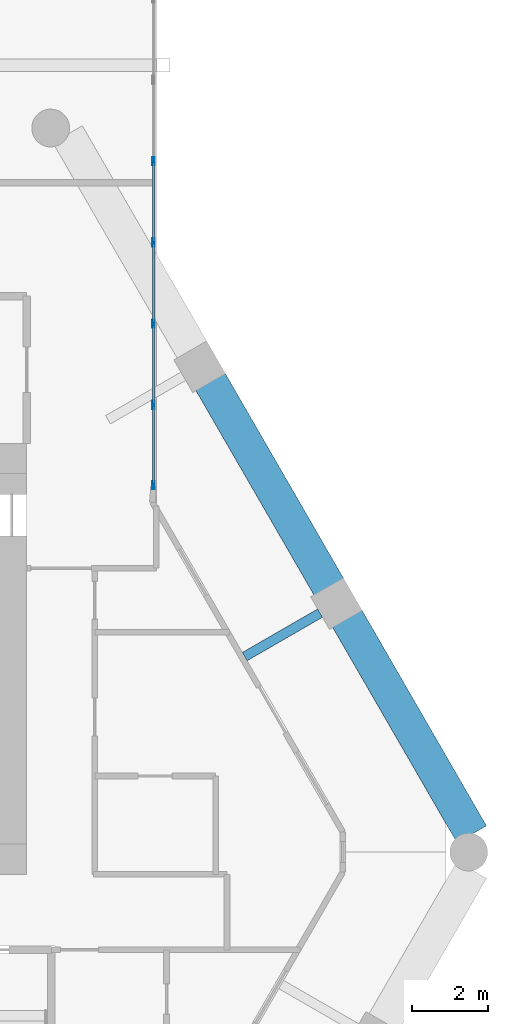
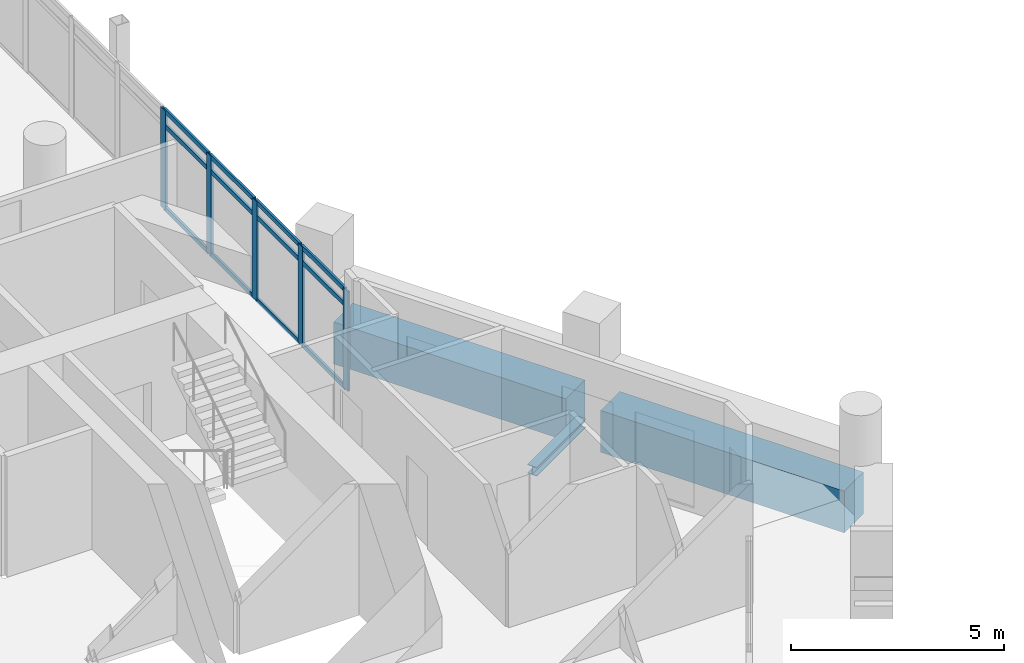
# One storey, part 20 of 29: 17 members, 3 beams, 1 element without a shape of its own.
"""IFC4 building model written with IfcOpenShell, lengths in metres."""

from ifc_helpers import new_model, si_unit, direction, frame, origin, origin_2d, place, context, subcontext, project, spatial, rectangle, hollow_rectangle, i_section, extrude, material, material_profile, profile_set, type_object, element, aggregate, save


model = new_model("IFC4")

# Units and contexts
model_context = context("Model", 3, precision=1e-05, world=origin(), true_north=direction((0.0, 1.0)))
body_context = subcontext(model_context, "Body", "Model", "MODEL_VIEW")
ifc_project = project(units=[si_unit("LENGTHUNIT", "METRE"), si_unit("AREAUNIT", "SQUARE_METRE"), si_unit("VOLUMEUNIT", "CUBIC_METRE"), si_unit("PLANEANGLEUNIT", "RADIAN"), si_unit("MASSUNIT", "GRAM", prefix="KILO")], contexts=[model_context])

# Site, building, storey
site_placement = place(None, origin())
site = spatial("IfcSite", under=ifc_project, at=site_placement, CompositionType="ELEMENT")
building_placement = place(site_placement, origin())
building = spatial("IfcBuilding", under=site, at=building_placement, Name="Ostrander Bayou Hotel Tower", CompositionType="ELEMENT")
storey_placement = place(building_placement, frame((0.0, 0.0, 205.75)))
storey = spatial("IfcBuildingStorey", under=building, at=storey_placement, Name="L51", CompositionType="ELEMENT", Elevation=205.75)

# Curtain wall, members
ifc_material_1 = material(Name="Aluminium and clear glass", Category="aluminium")
curtain_wall_type = type_object("IfcCurtainWallType", Name="CW-BAR glazed wall", PredefinedType="NOTDEFINED", material=ifc_material_1)
curtain_wall_placement = place(storey_placement, origin())
curtain_wall = element("IfcCurtainWall", 1, at=curtain_wall_placement, inside=storey, type_object=curtain_wall_type, Name="CW-BAR L51:SB4N:W", PredefinedType="NOTDEFINED")
ifc_material_2 = material(Name="Aluminium", Category="aluminium")
ifc_material_profile_1 = material_profile(ifc_material_2, hollow_rectangle(XDim=0.06005859375, YDim=0.219970703125, WallThickness=0.00390625, at=origin_2d()))
ifc_profile_set_1 = profile_set([ifc_material_profile_1], Name="Aluminium")
member_type_1 = type_object("IfcMemberType", Name="CW-BR mullion 60 x 220 mm", PredefinedType="MULLION", material=ifc_profile_set_1)
member_1_placement = place(storey_placement, frame((11.857177734375, 8.594482421875, 0.0), z_axis=(0.0, 0.0, 1.0), x_axis=(-1.0, 0.0, 0.0)))
member_1 = element("IfcMember", 2, at=member_1_placement, type_object=member_type_1, Name="CW-BAR mullion 1", PredefinedType="MULLION", context=body_context, shape_type="SweptSolid", body=[
    extrude(hollow_rectangle(XDim=0.06005859375, YDim=0.219970703125, WallThickness=0.00390625, at=origin_2d()), origin(), (0.0, 0.0, 1.0), 2.85009765625),
])
member_2_placement = place(storey_placement, frame((11.857177734375, 10.714599609375, 0.0), z_axis=(0.0, 0.0, 1.0), x_axis=(-1.0, 0.0, 0.0)))
member_2 = element("IfcMember", 3, at=member_2_placement, type_object=member_type_1, Name="CW-BAR mullion 2", PredefinedType="MULLION", context=body_context, shape_type="SweptSolid", body=[
    extrude(hollow_rectangle(XDim=0.06005859375, YDim=0.219970703125, WallThickness=0.00390625, at=origin_2d()), origin(), (0.0, 0.0, 1.0), 2.85009765625),
])
member_3_placement = place(storey_placement, frame((11.857177734375, 12.86474609375, 0.0), z_axis=(0.0, 0.0, 1.0), x_axis=(-1.0, 0.0, 0.0)))
member_3 = element("IfcMember", 4, at=member_3_placement, type_object=member_type_1, Name="CW-BAR mullion 3", PredefinedType="MULLION", context=body_context, shape_type="SweptSolid", body=[
    extrude(hollow_rectangle(XDim=0.06005859375, YDim=0.219970703125, WallThickness=0.00390625, at=origin_2d()), origin(), (0.0, 0.0, 1.0), 2.85009765625),
])
member_4_placement = place(storey_placement, frame((11.857177734375, 15.014892578125, 0.0), z_axis=(0.0, 0.0, 1.0), x_axis=(-1.0, 0.0, 0.0)))
member_4 = element("IfcMember", 5, at=member_4_placement, type_object=member_type_1, Name="CW-BAR mullion 4", PredefinedType="MULLION", context=body_context, shape_type="SweptSolid", body=[
    extrude(hollow_rectangle(XDim=0.06005859375, YDim=0.219970703125, WallThickness=0.00390625, at=origin_2d()), origin(), (0.0, 0.0, 1.0), 2.85009765625),
])
member_5_placement = place(storey_placement, frame((11.857177734375, 17.1650390625, 0.0), z_axis=(0.0, 0.0, 1.0), x_axis=(-1.0, 0.0, 0.0)))
member_5 = element("IfcMember", 6, at=member_5_placement, type_object=member_type_1, Name="CW-BAR mullion 5", PredefinedType="MULLION", context=body_context, shape_type="SweptSolid", body=[
    extrude(hollow_rectangle(XDim=0.06005859375, YDim=0.219970703125, WallThickness=0.00390625, at=origin_2d()), origin(), (0.0, 0.0, 1.0), 2.85009765625),
])
ifc_material_3 = material(Name="Aluminium", Category="aluminium")
ifc_material_profile_2 = material_profile(ifc_material_3, hollow_rectangle(XDim=0.06005859375, YDim=0.1298828125, WallThickness=0.00390625, at=origin_2d()))
ifc_profile_set_2 = profile_set([ifc_material_profile_2], Name="Aluminium")
member_type_2 = type_object("IfcMemberType", Name="CW-BR transom 60 x 130 mm", PredefinedType="USERDEFINED", material=ifc_profile_set_2)
member_6_placement = place(storey_placement, frame((11.857177734375, 8.62451171875, 0.030029296875), z_axis=(0.0, 1.0, 0.0), x_axis=(-1.0, 0.0, 0.0)))
member_6 = element("IfcMember", 7, at=member_6_placement, type_object=member_type_2, Name="CW-BAR transom 1.1", ObjectType="TRANSOM", PredefinedType="USERDEFINED", context=body_context, shape_type="SweptSolid", body=[
    extrude(hollow_rectangle(XDim=0.06005859375, YDim=0.1298828125, WallThickness=0.00390625, at=origin_2d()), origin(), (0.0, 0.0, 1.0), 2.06005859375),
])
member_7_placement = place(storey_placement, frame((11.857177734375, 8.62451171875, 2.39990234375), z_axis=(0.0, 1.0, 0.0), x_axis=(-1.0, 0.0, 0.0)))
member_7 = element("IfcMember", 8, at=member_7_placement, type_object=member_type_2, Name="CW-BAR transom 1.2", ObjectType="TRANSOM", PredefinedType="USERDEFINED", context=body_context, shape_type="SweptSolid", body=[
    extrude(hollow_rectangle(XDim=0.06005859375, YDim=0.1298828125, WallThickness=0.00390625, at=origin_2d()), origin(), (0.0, 0.0, 1.0), 2.06005859375),
])
member_8_placement = place(storey_placement, frame((11.857177734375, 8.62451171875, 2.820068359375), z_axis=(0.0, 1.0, 0.0), x_axis=(-1.0, 0.0, 0.0)))
member_8 = element("IfcMember", 9, at=member_8_placement, type_object=member_type_2, Name="CW-BAR transom 1.3", ObjectType="TRANSOM", PredefinedType="USERDEFINED", context=body_context, shape_type="SweptSolid", body=[
    extrude(hollow_rectangle(XDim=0.06005859375, YDim=0.1298828125, WallThickness=0.00390625, at=origin_2d()), origin(), (0.0, 0.0, 1.0), 2.06005859375),
])
member_9_placement = place(storey_placement, frame((11.857177734375, 10.74462890625, 0.030029296875), z_axis=(0.0, 1.0, 0.0), x_axis=(-1.0, 0.0, 0.0)))
member_9 = element("IfcMember", 10, at=member_9_placement, type_object=member_type_2, Name="CW-BAR transom 2.1", ObjectType="TRANSOM", PredefinedType="USERDEFINED", context=body_context, shape_type="SweptSolid", body=[
    extrude(hollow_rectangle(XDim=0.06005859375, YDim=0.1298828125, WallThickness=0.00390625, at=origin_2d()), origin(), (0.0, 0.0, 1.0), 2.090087890625),
])
member_10_placement = place(storey_placement, frame((11.857177734375, 10.74462890625, 2.39990234375), z_axis=(0.0, 1.0, 0.0), x_axis=(-1.0, 0.0, 0.0)))
member_10 = element("IfcMember", 11, at=member_10_placement, type_object=member_type_2, Name="CW-BAR transom 2.2", ObjectType="TRANSOM", PredefinedType="USERDEFINED", context=body_context, shape_type="SweptSolid", body=[
    extrude(hollow_rectangle(XDim=0.06005859375, YDim=0.1298828125, WallThickness=0.00390625, at=origin_2d()), origin(), (0.0, 0.0, 1.0), 2.090087890625),
])
member_11_placement = place(storey_placement, frame((11.857177734375, 10.74462890625, 2.820068359375), z_axis=(0.0, 1.0, 0.0), x_axis=(-1.0, 0.0, 0.0)))
member_11 = element("IfcMember", 12, at=member_11_placement, type_object=member_type_2, Name="CW-BAR transom 2.3", ObjectType="TRANSOM", PredefinedType="USERDEFINED", context=body_context, shape_type="SweptSolid", body=[
    extrude(hollow_rectangle(XDim=0.06005859375, YDim=0.1298828125, WallThickness=0.00390625, at=origin_2d()), origin(), (0.0, 0.0, 1.0), 2.090087890625),
])
member_12_placement = place(storey_placement, frame((11.857177734375, 12.894775390625, 0.030029296875), z_axis=(0.0, 1.0, 0.0), x_axis=(-1.0, 0.0, 0.0)))
member_12 = element("IfcMember", 13, at=member_12_placement, type_object=member_type_2, Name="CW-BAR transom 3.1", ObjectType="TRANSOM", PredefinedType="USERDEFINED", context=body_context, shape_type="SweptSolid", body=[
    extrude(hollow_rectangle(XDim=0.06005859375, YDim=0.1298828125, WallThickness=0.00390625, at=origin_2d()), origin(), (0.0, 0.0, 1.0), 2.090087890625),
])
member_13_placement = place(storey_placement, frame((11.857177734375, 12.894775390625, 2.39990234375), z_axis=(0.0, 1.0, 0.0), x_axis=(-1.0, 0.0, 0.0)))
member_13 = element("IfcMember", 14, at=member_13_placement, type_object=member_type_2, Name="CW-BAR transom 3.2", ObjectType="TRANSOM", PredefinedType="USERDEFINED", context=body_context, shape_type="SweptSolid", body=[
    extrude(hollow_rectangle(XDim=0.06005859375, YDim=0.1298828125, WallThickness=0.00390625, at=origin_2d()), origin(), (0.0, 0.0, 1.0), 2.090087890625),
])
member_14_placement = place(storey_placement, frame((11.857177734375, 12.894775390625, 2.820068359375), z_axis=(0.0, 1.0, 0.0), x_axis=(-1.0, 0.0, 0.0)))
member_14 = element("IfcMember", 15, at=member_14_placement, type_object=member_type_2, Name="CW-BAR transom 3.3", ObjectType="TRANSOM", PredefinedType="USERDEFINED", context=body_context, shape_type="SweptSolid", body=[
    extrude(hollow_rectangle(XDim=0.06005859375, YDim=0.1298828125, WallThickness=0.00390625, at=origin_2d()), origin(), (0.0, 0.0, 1.0), 2.090087890625),
])
member_15_placement = place(storey_placement, frame((11.857177734375, 15.044921875, 0.030029296875), z_axis=(0.0, 1.0, 0.0), x_axis=(-1.0, 0.0, 0.0)))
member_15 = element("IfcMember", 16, at=member_15_placement, type_object=member_type_2, Name="CW-BAR transom 4.1", ObjectType="TRANSOM", PredefinedType="USERDEFINED", context=body_context, shape_type="SweptSolid", body=[
    extrude(hollow_rectangle(XDim=0.06005859375, YDim=0.1298828125, WallThickness=0.00390625, at=origin_2d()), origin(), (0.0, 0.0, 1.0), 2.09033203125),
])
member_16_placement = place(storey_placement, frame((11.857177734375, 15.044921875, 2.39990234375), z_axis=(0.0, 1.0, 0.0), x_axis=(-1.0, 0.0, 0.0)))
member_16 = element("IfcMember", 17, at=member_16_placement, type_object=member_type_2, Name="CW-BAR transom 4.2", ObjectType="TRANSOM", PredefinedType="USERDEFINED", context=body_context, shape_type="SweptSolid", body=[
    extrude(hollow_rectangle(XDim=0.06005859375, YDim=0.1298828125, WallThickness=0.00390625, at=origin_2d()), origin(), (0.0, 0.0, 1.0), 2.09033203125),
])
member_17_placement = place(storey_placement, frame((11.857177734375, 15.044921875, 2.820068359375), z_axis=(0.0, 1.0, 0.0), x_axis=(-1.0, 0.0, 0.0)))
member_17 = element("IfcMember", 18, at=member_17_placement, type_object=member_type_2, Name="CW-BAR transom 4.3", ObjectType="TRANSOM", PredefinedType="USERDEFINED", context=body_context, shape_type="SweptSolid", body=[
    extrude(hollow_rectangle(XDim=0.06005859375, YDim=0.1298828125, WallThickness=0.00390625, at=origin_2d()), origin(), (0.0, 0.0, 1.0), 2.09033203125),
])
aggregate(curtain_wall, [member_1, member_2, member_3, member_4, member_5, member_6, member_7, member_8, member_9, member_10, member_11, member_12, member_13, member_14, member_15, member_16, member_17])

# Beams
ifc_material_4 = material(Name="Steel ASTM A992", Category="steel")
ifc_material_profile_3 = material_profile(ifc_material_4, i_section(OverallWidth=0.25390625, OverallDepth=0.25341796875, WebThickness=0.008544921875, FlangeThickness=0.01416015625, at=origin_2d()))
ifc_profile_set_3 = profile_set([ifc_material_profile_3], Name="Steel ASTM A992")
beam_type_1 = type_object("IfcBeamType", Name="LB2 loggia bracket W10x49", PredefinedType="BEAM", material=ifc_profile_set_3)
beam_1_placement = place(storey_placement, frame((16.260498046875, 5.210205078125, -0.4267578125), z_axis=(-0.86602648383, -0.499998129301, 0.0), x_axis=(0.499998129301, -0.86602648383, 0.0)))
element("IfcBeam", 19, at=beam_1_placement, inside=storey, type_object=beam_type_1, Name="LB2 L51 NE1", PredefinedType="BEAM", context=body_context, shape_type="SweptSolid", body=[
    extrude(i_section(OverallWidth=0.25390625, OverallDepth=0.25341796875, WebThickness=0.008544921875, FlangeThickness=0.01416015625, at=origin_2d()), origin(), (0.0, 0.0, 1.0), 2.2998046875),
])
ifc_material_5 = material(Name="Concrete f'c 60 MPa", Category="concrete")
ifc_material_profile_4 = material_profile(ifc_material_5, rectangle(XDim=0.89990234375, YDim=1.199951171875, at=origin_2d()))
ifc_profile_set_4 = profile_set([ifc_material_profile_4], Name="Concrete f'c 60 MPa")
beam_type_2 = type_object("IfcBeamType", Name="SP3 spandrel beam 900 x 1200 mm f'c 60 MPa", PredefinedType="SPANDREL", material=ifc_profile_set_4)
beam_2_placement = place(storey_placement, frame((20.275146484375, -0.64306640625, -0.60009765625), z_axis=(-0.500010360262, 0.866019422202, 0.0), x_axis=(-0.866019422202, -0.500010360262, 0.0)))
element("IfcBeam", 20, at=beam_2_placement, inside=storey, type_object=beam_type_2, Name="SP3 L51 NE-1", PredefinedType="SPANDREL", context=body_context, shape_type="SweptSolid", body=[
    extrude(rectangle(XDim=0.89990234375, YDim=1.199951171875, at=origin_2d()), origin(), (0.0, 0.0, 1.0), 6.606201171875),
])
beam_3_placement = place(storey_placement, frame((16.501953125, 5.892333984375, -0.60009765625), z_axis=(-0.500013351051, 0.866017695414, 0.0), x_axis=(-0.866017695414, -0.500013351051, 0.0)))
element("IfcBeam", 21, at=beam_3_placement, inside=storey, type_object=beam_type_2, Name="SP3 L51 NE-2", PredefinedType="SPANDREL", context=body_context, shape_type="SweptSolid", body=[
    extrude(rectangle(XDim=0.89990234375, YDim=1.199951171875, at=origin_2d()), origin(), (0.0, 0.0, 1.0), 6.296142578125),
])

save(model, "model.ifc")
